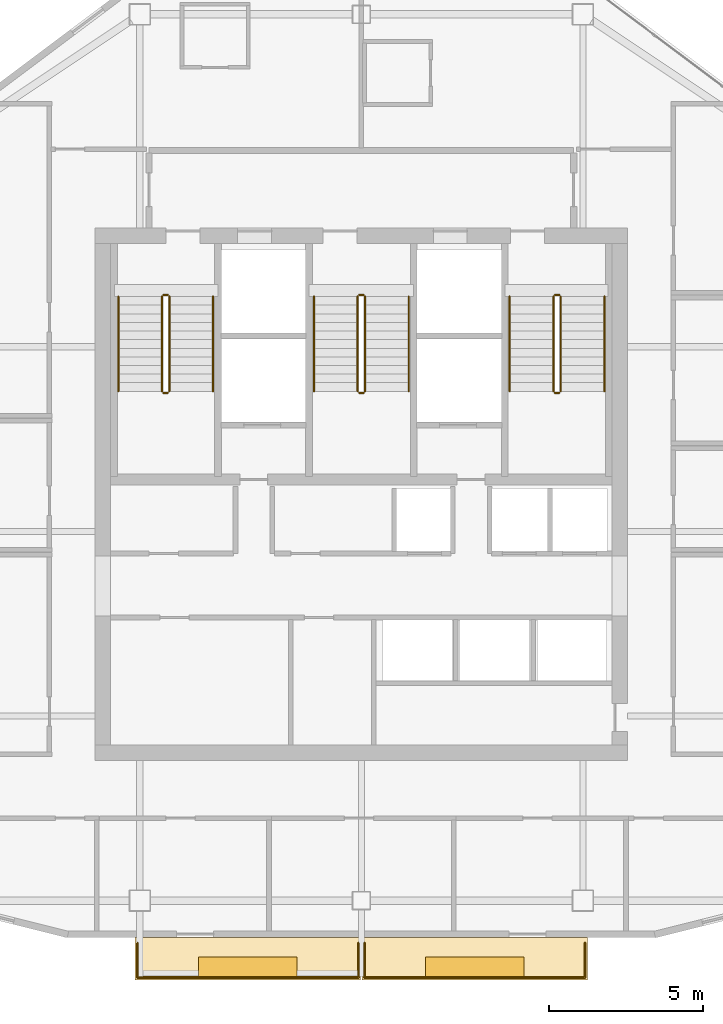
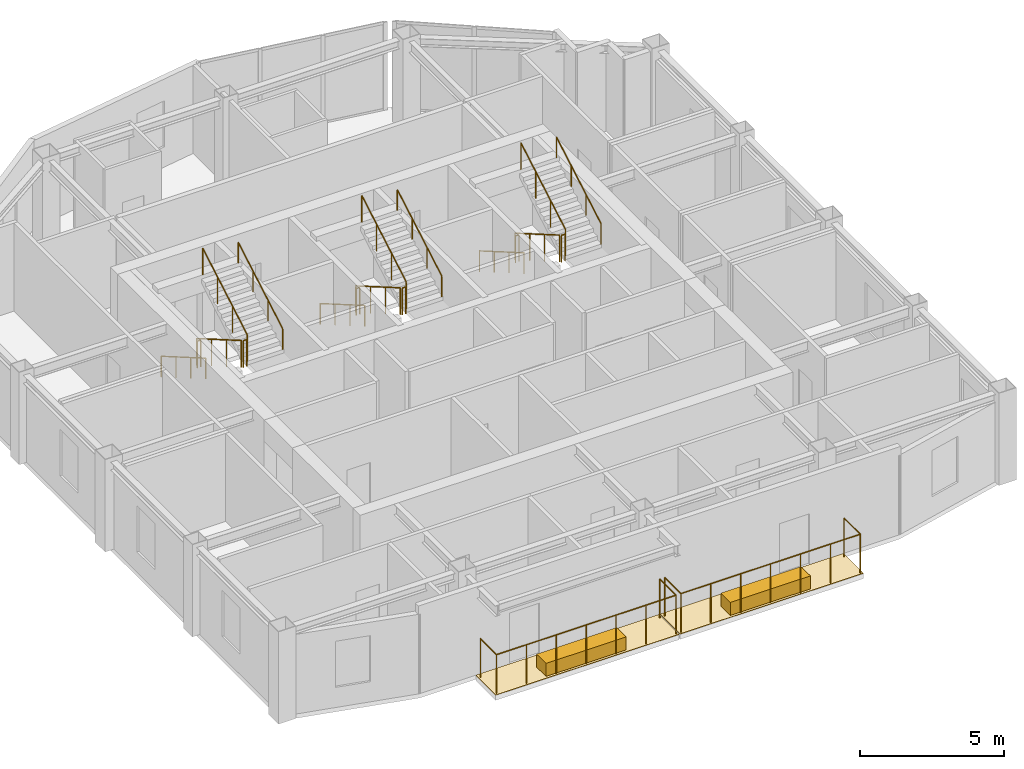
# One storey, part 8 of 8: 22 railings, 4 coverings.
"""IFC4 building model written with IfcOpenShell, lengths in metres."""

from ifc_helpers import new_model, si_unit, direction, frame, origin, origin_2d, place, context, subcontext, project, spatial, polyline, rectangle, circle, outline, extrude, material, layer, layer_set, type_object, element, save


model = new_model("IFC4")

# Units and contexts
model_context = context("Model", 3, precision=1e-05, world=origin(), true_north=direction((0.0, 1.0)))
body_context = subcontext(model_context, "Body", "Model", "MODEL_VIEW")
ifc_project = project(units=[si_unit("LENGTHUNIT", "METRE"), si_unit("AREAUNIT", "SQUARE_METRE"), si_unit("VOLUMEUNIT", "CUBIC_METRE"), si_unit("PLANEANGLEUNIT", "RADIAN"), si_unit("MASSUNIT", "GRAM", prefix="KILO")], contexts=[model_context])

# Site, building, storey
site_placement = place(None, origin())
site = spatial("IfcSite", under=ifc_project, at=site_placement, CompositionType="ELEMENT")
building_placement = place(site_placement, origin())
building = spatial("IfcBuilding", under=site, at=building_placement, Name="Haolan Belvedere Tower", CompositionType="ELEMENT")
storey_placement = place(building_placement, frame((0.0, 0.0, 297.800048828125)))
storey = spatial("IfcBuildingStorey", under=building, at=storey_placement, Name="L75", CompositionType="ELEMENT", Elevation=297.800048828125)

# Coverings
ifc_material_1 = material(Name="Engineered lightweight planted garden soil substrate", Category="masonry")
ifc_layer_1 = layer(ifc_material_1, 0.550048828125, Name="Engineered lightweight planted garden soil substrate")
ifc_layer_set_1 = layer_set([ifc_layer_1], Name="Engineered lightweight planted garden soil substrate")
covering_type_1 = type_object("IfcCoveringType", Name="COV-PLANT-550", PredefinedType="MEMBRANE", material=ifc_layer_set_1)
for number, where, z_axis, x_axis, name in (
    (1, (34.715087890625, 19.43994140625, 0.0), (0.0, 0.0, 1.0), (1.0, 0.0, 0.0), "L75 structural tree balcony PLANTER box 1"),
    (2, (42.0849609375, 19.43994140625, 0.0), (0.0, 0.0, 1.0), (1.0, 0.0, 0.0), "L75 structural tree balcony PLANTER box 2"),
):
    element("IfcCovering", number, at=place(storey_placement, frame(where, z_axis=z_axis, x_axis=x_axis)), inside=storey, type_object=covering_type_1, Name=name, PredefinedType="MEMBRANE", context=body_context, shape_type="SweptSolid", body=[
        extrude(rectangle(XDim=3.199951171875, YDim=0.64990234375, at=origin_2d()), origin(), (0.0, 0.0, 1.0), 0.550048828125),
    ])
ifc_material_2 = material(Name="Elastomeric waterproof roofing membrane and stone pavers", Category="masonry")
ifc_layer_2 = layer(ifc_material_2, 0.02001953125, Name="Elastomeric waterproof roofing membrane and stone pavers")
ifc_layer_set_2 = layer_set([ifc_layer_2], Name="Elastomeric waterproof roofing membrane and stone pavers")
covering_type_2 = type_object("IfcCoveringType", Name="COV-ROOF-20", PredefinedType="ROOFING", material=ifc_layer_set_2)
covering_1_placement = place(storey_placement, frame((0.0, 0.0, -0.02001953125)))
element("IfcCovering", 3, at=covering_1_placement, inside=storey, type_object=covering_type_2, Name="L75 tree-balcony waterproof membrane 1", PredefinedType="ROOFING", context=body_context, shape_type="SweptSolid", body=[
    extrude(outline(polyline([(31.050048828125, 19.02001953125), (38.3798828125, 19.02001953125), (38.3798828125, 20.39990234375), (31.050048828125, 20.39990234375), (31.050048828125, 19.02001953125)])), origin(), (0.0, 0.0, 1.0), 0.02001953125),
])
covering_2_placement = place(storey_placement, frame((0.0, 0.0, -0.02001953125)))
element("IfcCovering", 4, at=covering_2_placement, inside=storey, type_object=covering_type_2, Name="L75 tree-balcony waterproof membrane 2", PredefinedType="ROOFING", context=body_context, shape_type="SweptSolid", body=[
    extrude(outline(polyline([(38.419921875, 19.02001953125), (45.75, 19.02001953125), (45.75, 20.39990234375), (38.419921875, 20.39990234375), (38.419921875, 19.02001953125)])), origin(), (0.0, 0.0, 1.0), 0.02001953125),
])

# Railings
ifc_material_3 = material(Name="Brushed stainless steel 304", Category="steel")
railing_type_1 = type_object("IfcRailingType", Name="RL-STAIR-GRD-1150", PredefinedType="GUARDRAIL", material=ifc_material_3)
railing_1_placement = place(storey_placement, frame((31.919921875, 41.22998046875, 0.162353515625)))
element("IfcRailing", 5, at=railing_1_placement, inside=storey, type_object=railing_type_1, Name="L75 ST1 stair guard 1", PredefinedType="GUARDRAIL", context=body_context, shape_type="SweptSolid", body=[
    extrude(circle(Radius=0.02392578125, at=origin_2d()), frame((0.0, 0.0, 1.1259765625), z_axis=(0.0, -0.864890721111, 0.501960198159), x_axis=(1.0, 0.0, 0.0)), (0.0, 0.0, 1.0), 3.561279296875),
    extrude(circle(Radius=0.02099609375, at=origin_2d()), origin(), (0.0, 0.0, 1.0), 1.101806640625),
    extrude(circle(Radius=0.02099609375, at=origin_2d()), frame((0.0, -1.026611328125, 0.595947265625)), (0.0, 0.0, 1.0), 1.101806640625),
    extrude(circle(Radius=0.02099609375, at=origin_2d()), frame((0.0, -2.053466796875, 1.191650390625)), (0.0, 0.0, 1.0), 1.101806640625),
    extrude(circle(Radius=0.02099609375, at=origin_2d()), frame((0.0, -3.080078125, 1.78759765625)), (0.0, 0.0, 1.0), 1.101806640625),
])
railing_2_placement = place(storey_placement, frame((31.969970703125, 38.10009765625, 1.949951171875)))
element("IfcRailing", 6, at=railing_2_placement, inside=storey, type_object=railing_type_1, Name="L75 ST1 stair guard 2", PredefinedType="GUARDRAIL", context=body_context, shape_type="SweptSolid", body=[
    extrude(circle(Radius=0.02392578125, at=origin_2d()), frame((0.0, 0.0, 1.1259765625), z_axis=(1.0, 0.0, 0.0), x_axis=(0.0, 1.0, 0.0)), (0.0, 0.0, 1.0), 0.14013671875),
    extrude(circle(Radius=0.02099609375, at=origin_2d()), origin(), (0.0, 0.0, 1.0), 1.101806640625),
    extrude(circle(Radius=0.02099609375, at=origin_2d()), frame((0.14013671875, 0.0, 0.0)), (0.0, 0.0, 1.0), 1.101806640625),
])
railing_3_placement = place(storey_placement, frame((32.159912109375, 38.14990234375, 2.112548828125)))
element("IfcRailing", 7, at=railing_3_placement, inside=storey, type_object=railing_type_1, Name="L75 ST1 stair guard 3", PredefinedType="GUARDRAIL", context=body_context, shape_type="SweptSolid", body=[
    extrude(circle(Radius=0.02392578125, at=origin_2d()), frame((0.0, 0.0, 1.1259765625), z_axis=(0.0, 0.864920483161, 0.501908913857), x_axis=(-1.0, 0.0, 0.0)), (0.0, 0.0, 1.0), 3.56103515625),
    extrude(circle(Radius=0.02099609375, at=origin_2d()), origin(), (0.0, 0.0, 1.0), 1.101806640625),
    extrude(circle(Radius=0.02099609375, at=origin_2d()), frame((0.0, 1.026611328125, 0.595703125)), (0.0, 0.0, 1.0), 1.101806640625),
    extrude(circle(Radius=0.02099609375, at=origin_2d()), frame((0.0, 2.053466796875, 1.191650390625)), (0.0, 0.0, 1.0), 1.101806640625),
    extrude(circle(Radius=0.02099609375, at=origin_2d()), frame((0.0, 3.080078125, 1.787353515625)), (0.0, 0.0, 1.0), 1.101806640625),
])
railing_4_placement = place(storey_placement, frame((31.969970703125, 41.280029296875, 0.0)))
element("IfcRailing", 8, at=railing_4_placement, inside=storey, type_object=railing_type_1, Name="L75 ST1 stair guard 4", PredefinedType="GUARDRAIL", context=body_context, shape_type="SweptSolid", body=[
    extrude(circle(Radius=0.02392578125, at=origin_2d()), frame((0.0, 0.0, 1.1259765625), z_axis=(1.0, 0.0, 0.0), x_axis=(0.0, 1.0, 0.0)), (0.0, 0.0, 1.0), 0.14013671875),
    extrude(circle(Radius=0.02099609375, at=origin_2d()), origin(), (0.0, 0.0, 1.0), 1.101806640625),
    extrude(circle(Radius=0.02099609375, at=origin_2d()), frame((0.14013671875, 0.0, 0.0)), (0.0, 0.0, 1.0), 1.101806640625),
])
railing_5_placement = place(storey_placement, frame((38.280029296875, 41.22998046875, 0.162353515625)))
element("IfcRailing", 9, at=railing_5_placement, inside=storey, type_object=railing_type_1, Name="L75 ST3 stair guard 1", PredefinedType="GUARDRAIL", context=body_context, shape_type="SweptSolid", body=[
    extrude(circle(Radius=0.02392578125, at=origin_2d()), frame((0.0, 0.0, 1.1259765625), z_axis=(0.0, -0.864890721111, 0.501960198159), x_axis=(1.0, 0.0, 0.0)), (0.0, 0.0, 1.0), 3.561279296875),
    extrude(circle(Radius=0.02099609375, at=origin_2d()), origin(), (0.0, 0.0, 1.0), 1.101806640625),
    extrude(circle(Radius=0.02099609375, at=origin_2d()), frame((0.0, -1.026611328125, 0.595947265625)), (0.0, 0.0, 1.0), 1.101806640625),
    extrude(circle(Radius=0.02099609375, at=origin_2d()), frame((0.0, -2.053466796875, 1.191650390625)), (0.0, 0.0, 1.0), 1.101806640625),
    extrude(circle(Radius=0.02099609375, at=origin_2d()), frame((0.0, -3.080078125, 1.78759765625)), (0.0, 0.0, 1.0), 1.101806640625),
])
railing_6_placement = place(storey_placement, frame((38.330078125, 38.10009765625, 1.949951171875)))
element("IfcRailing", 10, at=railing_6_placement, inside=storey, type_object=railing_type_1, Name="L75 ST3 stair guard 2", PredefinedType="GUARDRAIL", context=body_context, shape_type="SweptSolid", body=[
    extrude(circle(Radius=0.02392578125, at=origin_2d()), frame((0.0, 0.0, 1.1259765625), z_axis=(1.0, 0.0, 0.0), x_axis=(0.0, 1.0, 0.0)), (0.0, 0.0, 1.0), 0.139892578125),
    extrude(circle(Radius=0.02099609375, at=origin_2d()), origin(), (0.0, 0.0, 1.0), 1.101806640625),
    extrude(circle(Radius=0.02099609375, at=origin_2d()), frame((0.139892578125, 0.0, 0.0)), (0.0, 0.0, 1.0), 1.101806640625),
])
railing_7_placement = place(storey_placement, frame((38.52001953125, 38.14990234375, 2.112548828125)))
element("IfcRailing", 11, at=railing_7_placement, inside=storey, type_object=railing_type_1, Name="L75 ST3 stair guard 3", PredefinedType="GUARDRAIL", context=body_context, shape_type="SweptSolid", body=[
    extrude(circle(Radius=0.02392578125, at=origin_2d()), frame((0.0, 0.0, 1.1259765625), z_axis=(0.0, 0.864920483161, 0.501908913857), x_axis=(-1.0, 0.0, 0.0)), (0.0, 0.0, 1.0), 3.56103515625),
    extrude(circle(Radius=0.02099609375, at=origin_2d()), origin(), (0.0, 0.0, 1.0), 1.101806640625),
    extrude(circle(Radius=0.02099609375, at=origin_2d()), frame((0.0, 1.026611328125, 0.595703125)), (0.0, 0.0, 1.0), 1.101806640625),
    extrude(circle(Radius=0.02099609375, at=origin_2d()), frame((0.0, 2.053466796875, 1.191650390625)), (0.0, 0.0, 1.0), 1.101806640625),
    extrude(circle(Radius=0.02099609375, at=origin_2d()), frame((0.0, 3.080078125, 1.787353515625)), (0.0, 0.0, 1.0), 1.101806640625),
])
railing_8_placement = place(storey_placement, frame((38.330078125, 41.280029296875, 0.0)))
element("IfcRailing", 12, at=railing_8_placement, inside=storey, type_object=railing_type_1, Name="L75 ST3 stair guard 4", PredefinedType="GUARDRAIL", context=body_context, shape_type="SweptSolid", body=[
    extrude(circle(Radius=0.02392578125, at=origin_2d()), frame((0.0, 0.0, 1.1259765625), z_axis=(1.0, 0.0, 0.0), x_axis=(0.0, 1.0, 0.0)), (0.0, 0.0, 1.0), 0.139892578125),
    extrude(circle(Radius=0.02099609375, at=origin_2d()), origin(), (0.0, 0.0, 1.0), 1.101806640625),
    extrude(circle(Radius=0.02099609375, at=origin_2d()), frame((0.139892578125, 0.0, 0.0)), (0.0, 0.0, 1.0), 1.101806640625),
])
railing_9_placement = place(storey_placement, frame((44.639892578125, 41.22998046875, 0.162353515625)))
element("IfcRailing", 13, at=railing_9_placement, inside=storey, type_object=railing_type_1, Name="L75 ST2 stair guard 1", PredefinedType="GUARDRAIL", context=body_context, shape_type="SweptSolid", body=[
    extrude(circle(Radius=0.02392578125, at=origin_2d()), frame((0.0, 0.0, 1.1259765625), z_axis=(0.0, -0.864890721111, 0.501960198159), x_axis=(1.0, 0.0, 0.0)), (0.0, 0.0, 1.0), 3.561279296875),
    extrude(circle(Radius=0.02099609375, at=origin_2d()), origin(), (0.0, 0.0, 1.0), 1.101806640625),
    extrude(circle(Radius=0.02099609375, at=origin_2d()), frame((0.0, -1.026611328125, 0.595947265625)), (0.0, 0.0, 1.0), 1.101806640625),
    extrude(circle(Radius=0.02099609375, at=origin_2d()), frame((0.0, -2.053466796875, 1.191650390625)), (0.0, 0.0, 1.0), 1.101806640625),
    extrude(circle(Radius=0.02099609375, at=origin_2d()), frame((0.0, -3.080078125, 1.78759765625)), (0.0, 0.0, 1.0), 1.101806640625),
])
railing_10_placement = place(storey_placement, frame((44.68994140625, 38.10009765625, 1.949951171875)))
element("IfcRailing", 14, at=railing_10_placement, inside=storey, type_object=railing_type_1, Name="L75 ST2 stair guard 2", PredefinedType="GUARDRAIL", context=body_context, shape_type="SweptSolid", body=[
    extrude(circle(Radius=0.02392578125, at=origin_2d()), frame((0.0, 0.0, 1.1259765625), z_axis=(1.0, 0.0, 0.0), x_axis=(0.0, 1.0, 0.0)), (0.0, 0.0, 1.0), 0.14013671875),
    extrude(circle(Radius=0.02099609375, at=origin_2d()), origin(), (0.0, 0.0, 1.0), 1.101806640625),
    extrude(circle(Radius=0.02099609375, at=origin_2d()), frame((0.14013671875, 0.0, 0.0)), (0.0, 0.0, 1.0), 1.101806640625),
])
railing_11_placement = place(storey_placement, frame((44.8798828125, 38.14990234375, 2.112548828125)))
element("IfcRailing", 15, at=railing_11_placement, inside=storey, type_object=railing_type_1, Name="L75 ST2 stair guard 3", PredefinedType="GUARDRAIL", context=body_context, shape_type="SweptSolid", body=[
    extrude(circle(Radius=0.02392578125, at=origin_2d()), frame((0.0, 0.0, 1.1259765625), z_axis=(0.0, 0.864920483161, 0.501908913857), x_axis=(-1.0, 0.0, 0.0)), (0.0, 0.0, 1.0), 3.56103515625),
    extrude(circle(Radius=0.02099609375, at=origin_2d()), origin(), (0.0, 0.0, 1.0), 1.101806640625),
    extrude(circle(Radius=0.02099609375, at=origin_2d()), frame((0.0, 1.026611328125, 0.595703125)), (0.0, 0.0, 1.0), 1.101806640625),
    extrude(circle(Radius=0.02099609375, at=origin_2d()), frame((0.0, 2.053466796875, 1.191650390625)), (0.0, 0.0, 1.0), 1.101806640625),
    extrude(circle(Radius=0.02099609375, at=origin_2d()), frame((0.0, 3.080078125, 1.787353515625)), (0.0, 0.0, 1.0), 1.101806640625),
])
railing_12_placement = place(storey_placement, frame((44.68994140625, 41.280029296875, 0.0)))
element("IfcRailing", 16, at=railing_12_placement, inside=storey, type_object=railing_type_1, Name="L75 ST2 stair guard 4", PredefinedType="GUARDRAIL", context=body_context, shape_type="SweptSolid", body=[
    extrude(circle(Radius=0.02392578125, at=origin_2d()), frame((0.0, 0.0, 1.1259765625), z_axis=(1.0, 0.0, 0.0), x_axis=(0.0, 1.0, 0.0)), (0.0, 0.0, 1.0), 0.14013671875),
    extrude(circle(Radius=0.02099609375, at=origin_2d()), origin(), (0.0, 0.0, 1.0), 1.101806640625),
    extrude(circle(Radius=0.02099609375, at=origin_2d()), frame((0.14013671875, 0.0, 0.0)), (0.0, 0.0, 1.0), 1.101806640625),
])
railing_type_2 = type_object("IfcRailingType", Name="RL-STAIR-HND-900", PredefinedType="HANDRAIL", material=ifc_material_3)
railing_13_placement = place(storey_placement, frame((30.5, 41.22998046875, 0.162353515625)))
element("IfcRailing", 17, at=railing_13_placement, inside=storey, type_object=railing_type_2, Name="L75 ST1 stair handrail 1", PredefinedType="HANDRAIL", context=body_context, shape_type="SweptSolid", body=[
    extrude(circle(Radius=0.02392578125, at=origin_2d()), frame((0.0, 0.0, 0.8759765625), z_axis=(0.0, -0.864890721111, 0.501960198159), x_axis=(1.0, 0.0, 0.0)), (0.0, 0.0, 1.0), 3.561279296875),
    extrude(circle(Radius=0.02099609375, at=origin_2d()), origin(), (0.0, 0.0, 1.0), 0.851806640625),
    extrude(circle(Radius=0.02099609375, at=origin_2d()), frame((0.0, -1.026611328125, 0.595947265625)), (0.0, 0.0, 1.0), 0.851806640625),
    extrude(circle(Radius=0.02099609375, at=origin_2d()), frame((0.0, -2.053466796875, 1.191650390625)), (0.0, 0.0, 1.0), 0.851806640625),
    extrude(circle(Radius=0.02099609375, at=origin_2d()), frame((0.0, -3.080078125, 1.78759765625)), (0.0, 0.0, 1.0), 0.851806640625),
])
railing_14_placement = place(storey_placement, frame((33.580078125, 38.14990234375, 2.112548828125)))
element("IfcRailing", 18, at=railing_14_placement, inside=storey, type_object=railing_type_2, Name="L75 ST1 stair handrail 2", PredefinedType="HANDRAIL", context=body_context, shape_type="SweptSolid", body=[
    extrude(circle(Radius=0.02392578125, at=origin_2d()), frame((0.0, 0.0, 0.8759765625), z_axis=(0.0, 0.864920483161, 0.501908913857), x_axis=(-1.0, 0.0, 0.0)), (0.0, 0.0, 1.0), 3.56103515625),
    extrude(circle(Radius=0.02099609375, at=origin_2d()), origin(), (0.0, 0.0, 1.0), 0.851806640625),
    extrude(circle(Radius=0.02099609375, at=origin_2d()), frame((0.0, 1.026611328125, 0.595703125)), (0.0, 0.0, 1.0), 0.851806640625),
    extrude(circle(Radius=0.02099609375, at=origin_2d()), frame((0.0, 2.053466796875, 1.191650390625)), (0.0, 0.0, 1.0), 0.851806640625),
    extrude(circle(Radius=0.02099609375, at=origin_2d()), frame((0.0, 3.080078125, 1.787353515625)), (0.0, 0.0, 1.0), 0.851806640625),
])
railing_15_placement = place(storey_placement, frame((36.860107421875, 41.22998046875, 0.162353515625)))
element("IfcRailing", 19, at=railing_15_placement, inside=storey, type_object=railing_type_2, Name="L75 ST3 stair handrail 1", PredefinedType="HANDRAIL", context=body_context, shape_type="SweptSolid", body=[
    extrude(circle(Radius=0.02392578125, at=origin_2d()), frame((0.0, 0.0, 0.8759765625), z_axis=(0.0, -0.864890721111, 0.501960198159), x_axis=(1.0, 0.0, 0.0)), (0.0, 0.0, 1.0), 3.561279296875),
    extrude(circle(Radius=0.02099609375, at=origin_2d()), origin(), (0.0, 0.0, 1.0), 0.851806640625),
    extrude(circle(Radius=0.02099609375, at=origin_2d()), frame((0.0, -1.026611328125, 0.595947265625)), (0.0, 0.0, 1.0), 0.851806640625),
    extrude(circle(Radius=0.02099609375, at=origin_2d()), frame((0.0, -2.053466796875, 1.191650390625)), (0.0, 0.0, 1.0), 0.851806640625),
    extrude(circle(Radius=0.02099609375, at=origin_2d()), frame((0.0, -3.080078125, 1.78759765625)), (0.0, 0.0, 1.0), 0.851806640625),
])
railing_16_placement = place(storey_placement, frame((39.93994140625, 38.14990234375, 2.112548828125)))
element("IfcRailing", 20, at=railing_16_placement, inside=storey, type_object=railing_type_2, Name="L75 ST3 stair handrail 2", PredefinedType="HANDRAIL", context=body_context, shape_type="SweptSolid", body=[
    extrude(circle(Radius=0.02392578125, at=origin_2d()), frame((0.0, 0.0, 0.8759765625), z_axis=(0.0, 0.864920483161, 0.501908913857), x_axis=(-1.0, 0.0, 0.0)), (0.0, 0.0, 1.0), 3.56103515625),
    extrude(circle(Radius=0.02099609375, at=origin_2d()), origin(), (0.0, 0.0, 1.0), 0.851806640625),
    extrude(circle(Radius=0.02099609375, at=origin_2d()), frame((0.0, 1.026611328125, 0.595703125)), (0.0, 0.0, 1.0), 0.851806640625),
    extrude(circle(Radius=0.02099609375, at=origin_2d()), frame((0.0, 2.053466796875, 1.191650390625)), (0.0, 0.0, 1.0), 0.851806640625),
    extrude(circle(Radius=0.02099609375, at=origin_2d()), frame((0.0, 3.080078125, 1.787353515625)), (0.0, 0.0, 1.0), 0.851806640625),
])
railing_17_placement = place(storey_placement, frame((43.219970703125, 41.22998046875, 0.162353515625)))
element("IfcRailing", 21, at=railing_17_placement, inside=storey, type_object=railing_type_2, Name="L75 ST2 stair handrail 1", PredefinedType="HANDRAIL", context=body_context, shape_type="SweptSolid", body=[
    extrude(circle(Radius=0.02392578125, at=origin_2d()), frame((0.0, 0.0, 0.8759765625), z_axis=(0.0, -0.864890721111, 0.501960198159), x_axis=(1.0, 0.0, 0.0)), (0.0, 0.0, 1.0), 3.561279296875),
    extrude(circle(Radius=0.02099609375, at=origin_2d()), origin(), (0.0, 0.0, 1.0), 0.851806640625),
    extrude(circle(Radius=0.02099609375, at=origin_2d()), frame((0.0, -1.026611328125, 0.595947265625)), (0.0, 0.0, 1.0), 0.851806640625),
    extrude(circle(Radius=0.02099609375, at=origin_2d()), frame((0.0, -2.053466796875, 1.191650390625)), (0.0, 0.0, 1.0), 0.851806640625),
    extrude(circle(Radius=0.02099609375, at=origin_2d()), frame((0.0, -3.080078125, 1.78759765625)), (0.0, 0.0, 1.0), 0.851806640625),
])
railing_18_placement = place(storey_placement, frame((46.300048828125, 38.14990234375, 2.112548828125)))
element("IfcRailing", 22, at=railing_18_placement, inside=storey, type_object=railing_type_2, Name="L75 ST2 stair handrail 2", PredefinedType="HANDRAIL", context=body_context, shape_type="SweptSolid", body=[
    extrude(circle(Radius=0.02392578125, at=origin_2d()), frame((0.0, 0.0, 0.8759765625), z_axis=(0.0, 0.864920483161, 0.501908913857), x_axis=(-1.0, 0.0, 0.0)), (0.0, 0.0, 1.0), 3.56103515625),
    extrude(circle(Radius=0.02099609375, at=origin_2d()), origin(), (0.0, 0.0, 1.0), 0.851806640625),
    extrude(circle(Radius=0.02099609375, at=origin_2d()), frame((0.0, 1.026611328125, 0.595703125)), (0.0, 0.0, 1.0), 0.851806640625),
    extrude(circle(Radius=0.02099609375, at=origin_2d()), frame((0.0, 2.053466796875, 1.191650390625)), (0.0, 0.0, 1.0), 0.851806640625),
    extrude(circle(Radius=0.02099609375, at=origin_2d()), frame((0.0, 3.080078125, 1.787353515625)), (0.0, 0.0, 1.0), 0.851806640625),
])
ifc_material_4 = material(Name="Anodised aluminium and laminated glass balustrade", Category="aluminium")
railing_type_3 = type_object("IfcRailingType", Name="RL-TER-BAL-1150", PredefinedType="BALUSTRADE", material=ifc_material_4)
railing_19_placement = place(storey_placement, frame((31.1298828125, 19.10009765625, 0.0)))
element("IfcRailing", 23, at=railing_19_placement, inside=storey, type_object=railing_type_3, Name="L75 outdoor perimeter balustrade BAL-L75-1-1", PredefinedType="BALUSTRADE", context=body_context, shape_type="SweptSolid", body=[
    extrude(circle(Radius=0.02392578125, at=origin_2d()), frame((0.0, 0.0, 1.6259765625), z_axis=(0.0, 1.0, 0.0), x_axis=(-1.0, 0.0, 0.0)), (0.0, 0.0, 1.0), 1.119873046875),
    extrude(circle(Radius=0.02099609375, at=origin_2d()), origin(), (0.0, 0.0, 1.0), 1.601806640625),
    extrude(circle(Radius=0.02099609375, at=origin_2d()), frame((0.0, 1.119873046875, 0.0)), (0.0, 0.0, 1.0), 1.601806640625),
])
railing_20_placement = place(storey_placement, frame((38.300048828125, 20.219970703125, 0.0)))
element("IfcRailing", 24, at=railing_20_placement, inside=storey, type_object=railing_type_3, Name="L75 outdoor perimeter balustrade BAL-L75-1-2", PredefinedType="BALUSTRADE", context=body_context, shape_type="SweptSolid", body=[
    extrude(circle(Radius=0.02392578125, at=origin_2d()), frame((0.0, 0.0, 1.6259765625), z_axis=(0.0, -1.0, 0.0), x_axis=(1.0, 0.0, 0.0)), (0.0, 0.0, 1.0), 1.119873046875),
    extrude(circle(Radius=0.02392578125, at=origin_2d()), frame((0.0, -1.119873046875, 1.6259765625), z_axis=(-1.0, 0.0, 0.0), x_axis=(0.0, -1.0, 0.0)), (0.0, 0.0, 1.0), 7.170166015625),
    extrude(circle(Radius=0.02099609375, at=origin_2d()), origin(), (0.0, 0.0, 1.0), 1.601806640625),
    extrude(circle(Radius=0.02099609375, at=origin_2d()), frame((0.0, -1.119873046875, 0.0)), (0.0, 0.0, 1.0), 1.601806640625),
    extrude(circle(Radius=0.02099609375, at=origin_2d()), frame((-1.195068359375, -1.119873046875, 0.0)), (0.0, 0.0, 1.0), 1.601806640625),
    extrude(circle(Radius=0.02099609375, at=origin_2d()), frame((-2.39013671875, -1.119873046875, 0.0)), (0.0, 0.0, 1.0), 1.601806640625),
    extrude(circle(Radius=0.02099609375, at=origin_2d()), frame((-3.5849609375, -1.119873046875, 0.0)), (0.0, 0.0, 1.0), 1.601806640625),
    extrude(circle(Radius=0.02099609375, at=origin_2d()), frame((-4.780029296875, -1.119873046875, 0.0)), (0.0, 0.0, 1.0), 1.601806640625),
    extrude(circle(Radius=0.02099609375, at=origin_2d()), frame((-5.97509765625, -1.119873046875, 0.0)), (0.0, 0.0, 1.0), 1.601806640625),
    extrude(circle(Radius=0.02099609375, at=origin_2d()), frame((-7.170166015625, -1.119873046875, 0.0)), (0.0, 0.0, 1.0), 1.601806640625),
])
railing_21_placement = place(storey_placement, frame((38.5, 19.10009765625, 0.0)))
element("IfcRailing", 25, at=railing_21_placement, inside=storey, type_object=railing_type_3, Name="L75 outdoor perimeter balustrade BAL-L75-2-1", PredefinedType="BALUSTRADE", context=body_context, shape_type="SweptSolid", body=[
    extrude(circle(Radius=0.02392578125, at=origin_2d()), frame((0.0, 0.0, 1.6259765625), z_axis=(0.0, 1.0, 0.0), x_axis=(-1.0, 0.0, 0.0)), (0.0, 0.0, 1.0), 1.119873046875),
    extrude(circle(Radius=0.02099609375, at=origin_2d()), origin(), (0.0, 0.0, 1.0), 1.601806640625),
    extrude(circle(Radius=0.02099609375, at=origin_2d()), frame((0.0, 1.119873046875, 0.0)), (0.0, 0.0, 1.0), 1.601806640625),
])
railing_22_placement = place(storey_placement, frame((45.669921875, 20.219970703125, 0.0)))
element("IfcRailing", 26, at=railing_22_placement, inside=storey, type_object=railing_type_3, Name="L75 outdoor perimeter balustrade BAL-L75-2-2", PredefinedType="BALUSTRADE", context=body_context, shape_type="SweptSolid", body=[
    extrude(circle(Radius=0.02392578125, at=origin_2d()), frame((0.0, 0.0, 1.6259765625), z_axis=(0.0, -1.0, 0.0), x_axis=(1.0, 0.0, 0.0)), (0.0, 0.0, 1.0), 1.119873046875),
    extrude(circle(Radius=0.02392578125, at=origin_2d()), frame((0.0, -1.119873046875, 1.6259765625), z_axis=(-1.0, 0.0, 0.0), x_axis=(0.0, -1.0, 0.0)), (0.0, 0.0, 1.0), 7.169921875),
    extrude(circle(Radius=0.02099609375, at=origin_2d()), origin(), (0.0, 0.0, 1.0), 1.601806640625),
    extrude(circle(Radius=0.02099609375, at=origin_2d()), frame((0.0, -1.119873046875, 0.0)), (0.0, 0.0, 1.0), 1.601806640625),
    extrude(circle(Radius=0.02099609375, at=origin_2d()), frame((-1.195068359375, -1.119873046875, 0.0)), (0.0, 0.0, 1.0), 1.601806640625),
    extrude(circle(Radius=0.02099609375, at=origin_2d()), frame((-2.389892578125, -1.119873046875, 0.0)), (0.0, 0.0, 1.0), 1.601806640625),
    extrude(circle(Radius=0.02099609375, at=origin_2d()), frame((-3.5849609375, -1.119873046875, 0.0)), (0.0, 0.0, 1.0), 1.601806640625),
    extrude(circle(Radius=0.02099609375, at=origin_2d()), frame((-4.780029296875, -1.119873046875, 0.0)), (0.0, 0.0, 1.0), 1.601806640625),
    extrude(circle(Radius=0.02099609375, at=origin_2d()), frame((-5.974853515625, -1.119873046875, 0.0)), (0.0, 0.0, 1.0), 1.601806640625),
    extrude(circle(Radius=0.02099609375, at=origin_2d()), frame((-7.169921875, -1.119873046875, 0.0)), (0.0, 0.0, 1.0), 1.601806640625),
])

save(model, "model.ifc")
